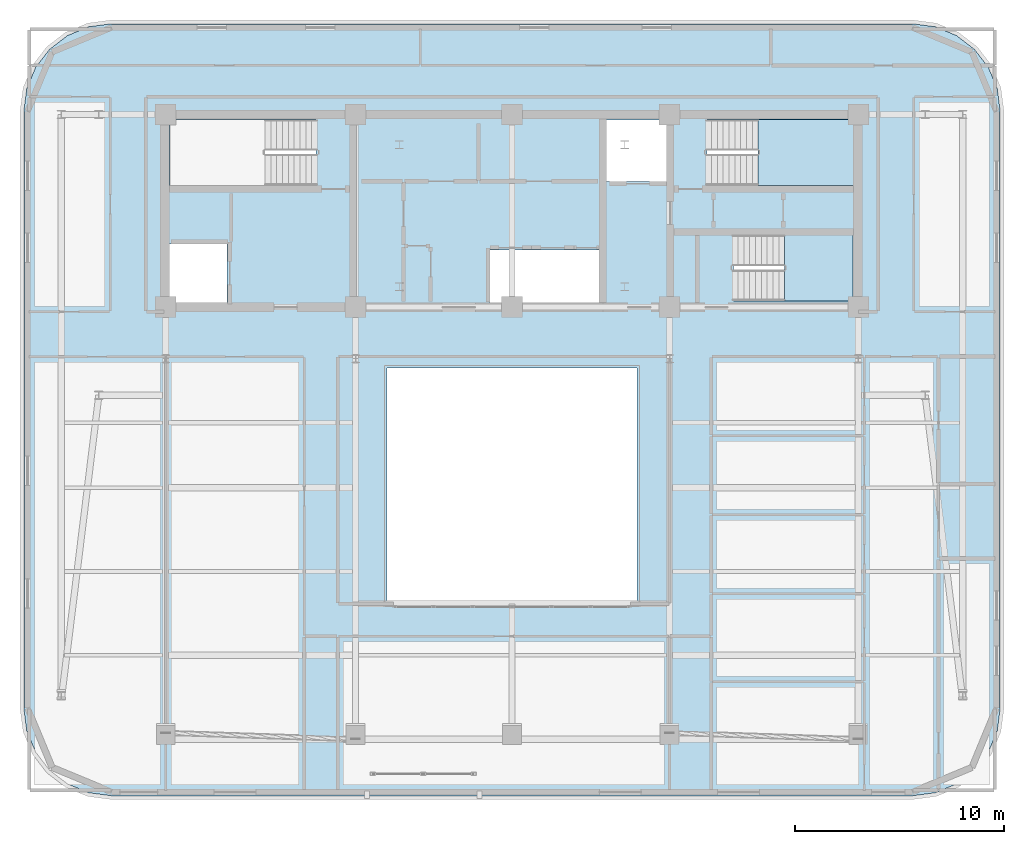
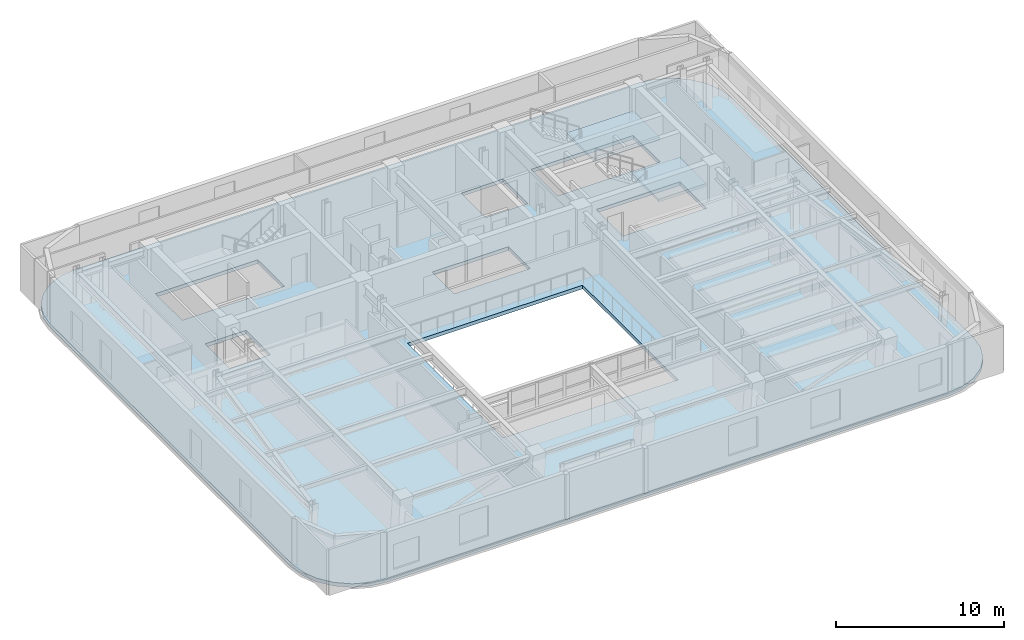
# One storey, part 4 of 13: 3 slabs, 2 elements without a shape of their own.
"""IFC4 building model written with IfcOpenShell, lengths in metres."""

from ifc_helpers import new_model, si_unit, direction, frame, origin, place, context, subcontext, project, spatial, polyline, outline, extrude, material, layer, layer_set, type_object, element, aggregate, save


model = new_model("IFC4")

# Units and contexts
model_context = context("Model", 3, precision=1e-05, world=origin(), true_north=direction((0.0, 1.0)))
body_context = subcontext(model_context, "Body", "Model", "MODEL_VIEW")
ifc_project = project(units=[si_unit("LENGTHUNIT", "METRE"), si_unit("AREAUNIT", "SQUARE_METRE"), si_unit("VOLUMEUNIT", "CUBIC_METRE"), si_unit("PLANEANGLEUNIT", "RADIAN"), si_unit("MASSUNIT", "GRAM", prefix="KILO")], contexts=[model_context])

# Site, building, storey
site_placement = place(None, origin())
site = spatial("IfcSite", under=ifc_project, at=site_placement, CompositionType="ELEMENT")
building_placement = place(site_placement, origin())
building = spatial("IfcBuilding", under=site, at=building_placement, Name="Zarnavel Station Tower", CompositionType="ELEMENT")
storey_placement = place(building_placement, frame((0.0, 0.0, 207.60009765625)))
storey = spatial("IfcBuildingStorey", under=building, at=storey_placement, Name="L56", CompositionType="ELEMENT", Elevation=207.60009765625)

# Slab
ifc_material_1 = material(Name="Concrete C45/55", Category="concrete")
ifc_layer_1 = layer(ifc_material_1, 0.260009765625)
ifc_layer_set_1 = layer_set([ifc_layer_1], Name="SL_FLR_260")
slab_type_1 = type_object("IfcSlabType", Name="SL_FLR_260", PredefinedType="FLOOR", material=ifc_layer_set_1)
slab_1_placement = place(storey_placement, frame((0.0, 0.0, -0.260009765625)))
element("IfcSlab", 1, at=slab_1_placement, inside=storey, type_object=slab_type_1, Name="L56 Structural Floor Slab", PredefinedType="FLOOR", context=body_context, shape_type="SweptSolid", body=[
    extrude(outline(polyline([(48.0, 4.39990234375), (49.0869140625, 4.543212890625), (50.10009765625, 4.962646484375), (50.9697265625, 5.630126953125), (51.63720703125, 6.5), (52.056884765625, 7.512939453125), (52.199951171875, 8.60009765625), (52.199951171875, 37.199951171875), (52.056884765625, 38.287109375), (51.63720703125, 39.300048828125), (50.9697265625, 40.169921875), (50.10009765625, 40.83740234375), (49.0869140625, 41.2568359375), (48.0, 41.39990234375), (9.60009765625, 41.39990234375), (8.512939453125, 41.2568359375), (7.5, 40.83740234375), (6.630126953125, 40.169921875), (5.962646484375, 39.300048828125), (5.543212890625, 38.287109375), (5.39990234375, 37.199951171875), (5.39990234375, 8.60009765625), (5.543212890625, 7.512939453125), (5.962646484375, 6.5), (6.630126953125, 5.630126953125), (7.5, 4.962646484375), (8.512939453125, 4.543212890625), (9.60009765625, 4.39990234375), (48.0, 4.39990234375)]), holes=[polyline([(12.39990234375, 33.659912109375), (19.409912109375, 33.659912109375), (19.409912109375, 36.820068359375), (12.39990234375, 36.820068359375), (12.39990234375, 33.659912109375)]), polyline([(38.14990234375, 33.659912109375), (45.159912109375, 33.659912109375), (45.159912109375, 36.820068359375), (38.14990234375, 36.820068359375), (38.14990234375, 33.659912109375)]), polyline([(39.419921875, 28.1201171875), (45.14990234375, 28.1201171875), (45.14990234375, 31.280029296875), (39.419921875, 31.280029296875), (39.419921875, 28.1201171875)]), polyline([(12.35009765625, 27.949951171875), (15.14990234375, 27.949951171875), (15.14990234375, 30.85009765625), (12.35009765625, 30.85009765625), (12.35009765625, 27.949951171875)]), polyline([(33.320068359375, 33.85009765625), (36.2099609375, 33.85009765625), (36.2099609375, 36.780029296875), (33.320068359375, 36.780029296875), (33.320068359375, 33.85009765625)]), polyline([(27.75, 27.949951171875), (32.97998046875, 27.949951171875), (32.97998046875, 30.550048828125), (27.75, 30.550048828125), (27.75, 27.949951171875)]), polyline([(22.800048828125, 13.60009765625), (34.800048828125, 13.60009765625), (34.800048828125, 24.89990234375), (22.800048828125, 24.89990234375), (22.800048828125, 13.60009765625)])]), origin(), (0.0, 0.0, 1.0), 0.260009765625),
])

# Stair, slab
ifc_material_2 = material(Name="Concrete C45/55", Category="concrete")
stair_type = type_object("IfcStairType", Name="ST_CORE_150", PredefinedType="HALF_TURN_STAIR", material=ifc_material_2)
stair_1_placement = place(storey_placement, origin())
stair_1 = element("IfcStair", 2, at=stair_1_placement, inside=storey, type_object=stair_type, Name="L56 Core Exit Stair ST2", PredefinedType="HALF_TURN_STAIR")
ifc_material_3 = material(Name="Concrete C45/55", Category="concrete")
ifc_layer_2 = layer(ifc_material_3, 0.199951171875)
ifc_layer_set_2 = layer_set([ifc_layer_2], Name="SL_STAIR_LAND_200")
slab_type_2 = type_object("IfcSlabType", Name="SL_STAIR_LAND_200", PredefinedType="LANDING", material=ifc_layer_set_2)
slab_2_placement = place(storey_placement, frame((0.0, 0.0, 1.599853515625)))
slab_2 = element("IfcSlab", 3, at=slab_2_placement, type_object=slab_type_2, Name="ST2 landing 1", PredefinedType="LANDING", context=body_context, shape_type="SweptSolid", body=[
    extrude(outline(polyline([(40.60009765625, 33.659912109375), (45.159912109375, 33.659912109375), (45.159912109375, 36.820068359375), (40.60009765625, 36.820068359375), (40.60009765625, 33.659912109375)])), origin(), (0.0, 0.0, 1.0), 0.199951171875),
])
aggregate(stair_1, [slab_2])

stair_2_placement = place(storey_placement, origin())
stair_2 = element("IfcStair", 4, at=stair_2_placement, inside=storey, type_object=stair_type, Name="L56 Core Exit Stair ST3", PredefinedType="HALF_TURN_STAIR")
slab_3_placement = place(storey_placement, frame((0.0, 0.0, 1.599853515625)))
slab_3 = element("IfcSlab", 5, at=slab_3_placement, type_object=slab_type_2, Name="ST3 landing 1", PredefinedType="LANDING", context=body_context, shape_type="SweptSolid", body=[
    extrude(outline(polyline([(41.8701171875, 28.1201171875), (45.14990234375, 28.1201171875), (45.14990234375, 31.280029296875), (41.8701171875, 31.280029296875), (41.8701171875, 28.1201171875)])), origin(), (0.0, 0.0, 1.0), 0.199951171875),
])
aggregate(stair_2, [slab_3])

save(model, "model.ifc")
